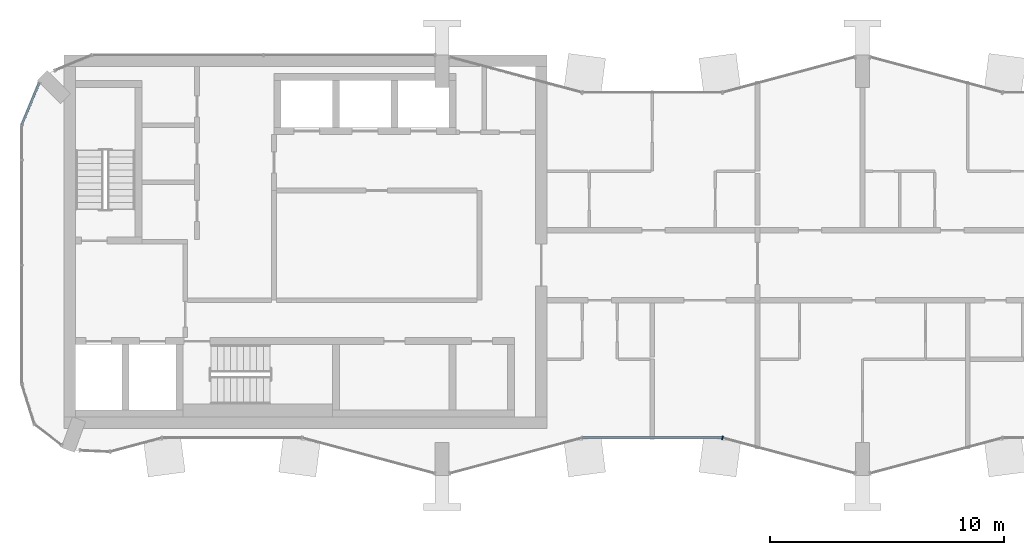
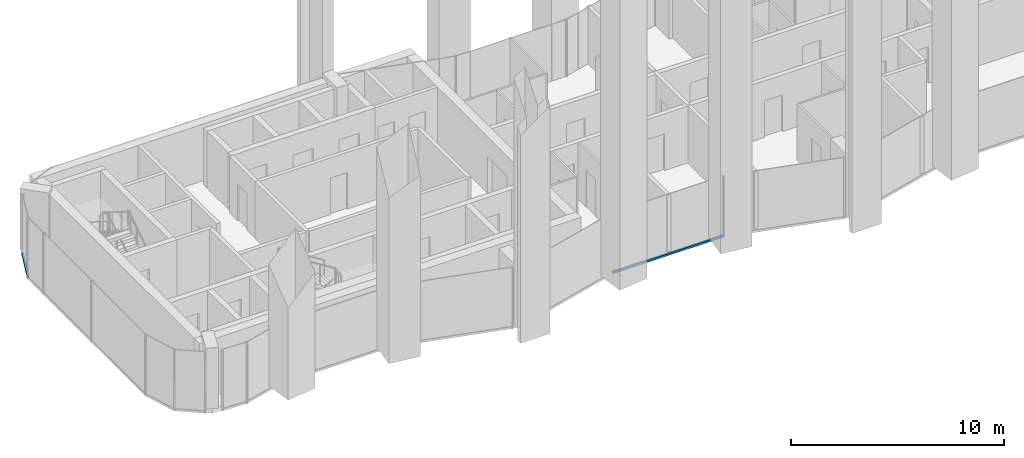
# One storey, part 3 of 11: 3 members, 3 elements without a shape of their own.
"""IFC4 building model written with IfcOpenShell, lengths in metres."""

from ifc_helpers import new_model, si_unit, direction, frame, origin, origin_2d, place, context, subcontext, project, spatial, rectangle, extrude, material, layer, layer_set, material_profile, profile_set, type_object, element, aggregate, save


model = new_model("IFC4")

# Units and contexts
model_context = context("Model", 3, precision=1e-05, world=origin(), true_north=direction((0.0, 1.0)))
body_context = subcontext(model_context, "Body", "Model", "MODEL_VIEW")
ifc_project = project(units=[si_unit("LENGTHUNIT", "METRE"), si_unit("AREAUNIT", "SQUARE_METRE"), si_unit("VOLUMEUNIT", "CUBIC_METRE"), si_unit("PLANEANGLEUNIT", "RADIAN"), si_unit("MASSUNIT", "GRAM", prefix="KILO")], contexts=[model_context])

# Site, building, storey
site_placement = place(None, origin())
site = spatial("IfcSite", under=ifc_project, at=site_placement, CompositionType="ELEMENT")
building_placement = place(site_placement, origin())
building = spatial("IfcBuilding", under=site, at=building_placement, Name="Plateau Cross Towers", CompositionType="ELEMENT")
storey_placement = place(building_placement, frame((0.0, 0.0, 242.39990234375)))
storey = spatial("IfcBuildingStorey", under=building, at=storey_placement, Name="L63", CompositionType="ELEMENT", Elevation=242.39990234375)

# Curtain wall, member
ifc_material_1 = material(Name="Dark low-iron glass", Category="glass")
ifc_layer_1 = layer(ifc_material_1, 0.260009765625)
ifc_layer_set_1 = layer_set([ifc_layer_1], Name="Dark low-iron glass")
curtain_wall_type_1 = type_object("IfcCurtainWallType", Name="Curtain wall fluted unitised CW-A", PredefinedType="NOTDEFINED", material=ifc_layer_set_1)
curtain_wall_1_placement = place(storey_placement, origin())
curtain_wall_1 = element("IfcCurtainWall", 1, at=curtain_wall_1_placement, inside=storey, type_object=curtain_wall_type_1, Name="ENV/A/L63/A300_16", PredefinedType="NOTDEFINED")
ifc_material_2 = material(Name="Black anodised aluminium", Category="aluminium")
ifc_material_profile_1 = material_profile(ifc_material_2, rectangle(XDim=0.06005859375, YDim=0.159912109375, at=origin_2d()), Name="MULLION 60x160")
ifc_profile_set_1 = profile_set([ifc_material_profile_1], Name="Black anodised aluminium")
member_type_1 = type_object("IfcMemberType", Name="Mullion 60x160 fluted unitised", PredefinedType="MULLION", material=ifc_profile_set_1)
member_1_placement = place(storey_placement, frame((30.0, 1.60693359375, -0.25), z_axis=(0.0, 0.0, 1.0), x_axis=(0.965957983404, -0.258699003279, 0.0)))
member_1 = element("IfcMember", 2, at=member_1_placement, type_object=member_type_1, Name="CW-A mullion 1", PredefinedType="MULLION", context=body_context, shape_type="SweptSolid", body=[
    extrude(rectangle(XDim=0.06005859375, YDim=0.159912109375, at=origin_2d()), origin(), (0.0, 0.0, 1.0), 3.5),
])
aggregate(curtain_wall_1, [member_1])

ifc_layer_2 = layer(ifc_material_1, 0.239990234375)
ifc_layer_set_2 = layer_set([ifc_layer_2], Name="Dark low-iron glass")
curtain_wall_type_2 = type_object("IfcCurtainWallType", Name="Curtain wall flush unitised CW-B", PredefinedType="NOTDEFINED", material=ifc_layer_set_2)
curtain_wall_2_placement = place(storey_placement, origin())
curtain_wall_2 = element("IfcCurtainWall", 3, at=curtain_wall_2_placement, inside=storey, type_object=curtain_wall_type_2, Name="ENV/A/L63/A7_168", PredefinedType="NOTDEFINED")
ifc_material_profile_2 = material_profile(ifc_material_2, rectangle(XDim=0.10009765625, YDim=0.1201171875, at=origin_2d()), Name="TRANSOM 100x120")
ifc_profile_set_2 = profile_set([ifc_material_profile_2], Name="Black anodised aluminium")
member_type_2 = type_object("IfcMemberType", Name="Transom 100x120 flush unitised", PredefinedType="USERDEFINED", material=ifc_profile_set_2)
member_2_placement = place(storey_placement, frame((0.748046875, 16.805908203125, -0.18994140625), z_axis=(-0.382690071798, -0.92387678234, 0.0), x_axis=(0.92387678234, -0.382690071798, 0.0)))
member_2 = element("IfcMember", 4, at=member_2_placement, type_object=member_type_2, Name="CW-B transom", ObjectType="TRANSOM", PredefinedType="USERDEFINED", context=body_context, shape_type="SweptSolid", body=[
    extrude(rectangle(XDim=0.10009765625, YDim=0.1201171875, at=origin_2d()), origin(), (0.0, 0.0, 1.0), 1.95458984375),
])
aggregate(curtain_wall_2, [member_2])

curtain_wall_3_placement = place(storey_placement, origin())
curtain_wall_3 = element("IfcCurtainWall", 5, at=curtain_wall_3_placement, inside=storey, type_object=curtain_wall_type_1, Name="ENV/A/L63/A240_16", PredefinedType="NOTDEFINED")
ifc_material_profile_3 = material_profile(ifc_material_2, rectangle(XDim=0.10009765625, YDim=0.1201171875, at=origin_2d()), Name="TRANSOM 100x120")
ifc_profile_set_3 = profile_set([ifc_material_profile_3], Name="Black anodised aluminium")
member_type_3 = type_object("IfcMemberType", Name="Transom 100x120 fluted unitised", PredefinedType="USERDEFINED", material=ifc_profile_set_3)
member_3_placement = place(storey_placement, frame((24.0, 1.60693359375, -0.18994140625), z_axis=(1.0, 0.0, 0.0), x_axis=(0.0, 1.0, 0.0)))
member_3 = element("IfcMember", 6, at=member_3_placement, type_object=member_type_3, Name="CW-A transom", ObjectType="TRANSOM", PredefinedType="USERDEFINED", context=body_context, shape_type="SweptSolid", body=[
    extrude(rectangle(XDim=0.10009765625, YDim=0.1201171875, at=origin_2d()), origin(), (0.0, 0.0, 1.0), 6.0),
])
aggregate(curtain_wall_3, [member_3])

save(model, "model.ifc")
